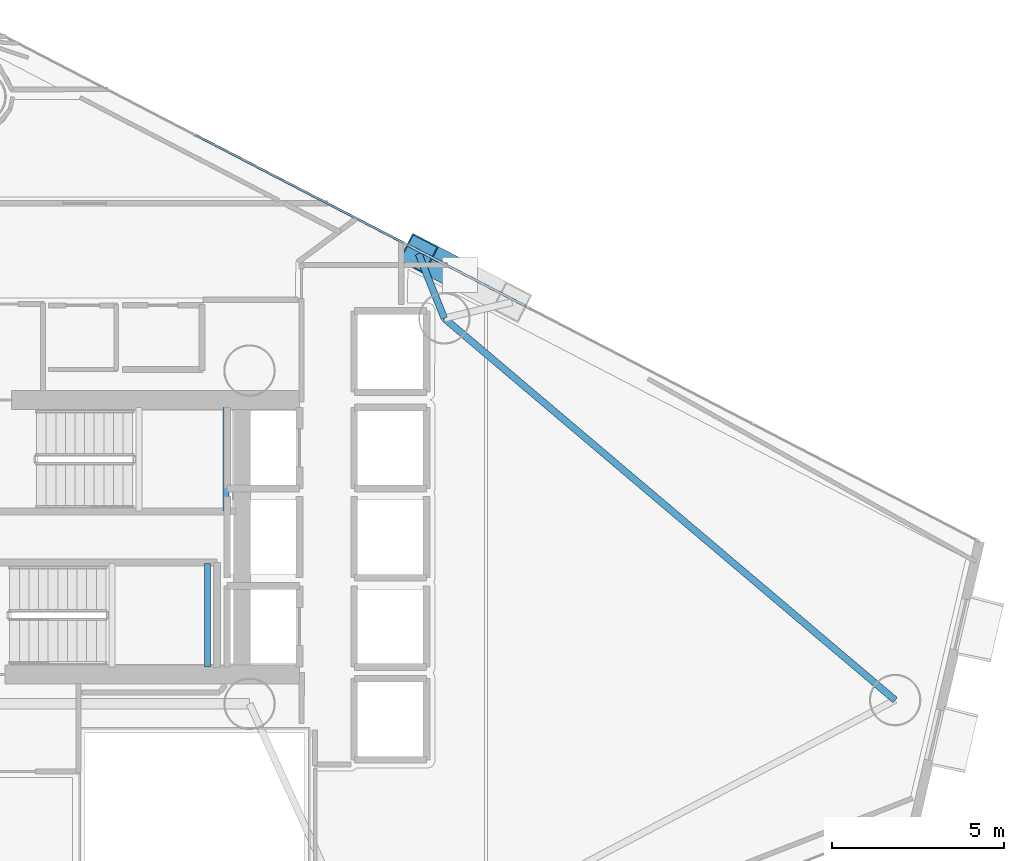
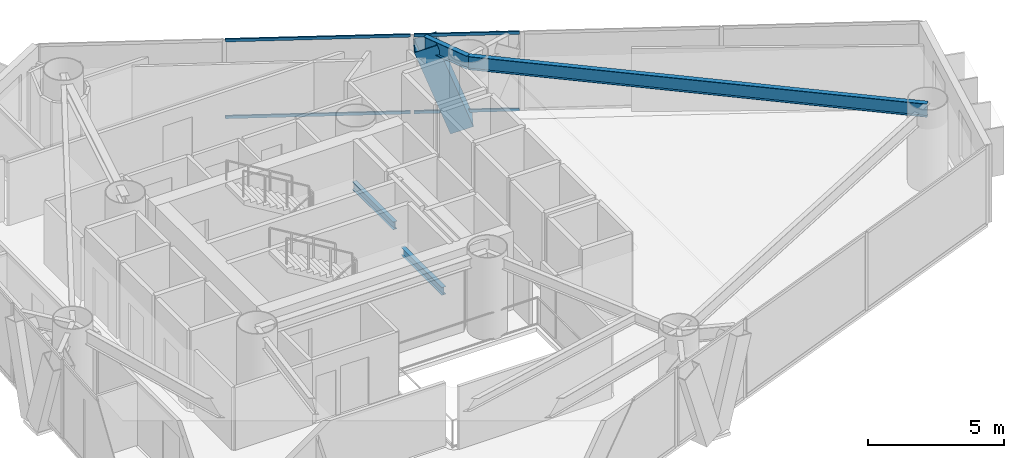
# One storey, part 10 of 21: 5 members, 4 beams, 2 elements without a shape of their own.
"""IFC4 building model written with IfcOpenShell, lengths in metres."""

import ifcopenshell
import ifcopenshell.guid

model = None  # the IFC model being written
_history = None  # IfcOwnerHistory: only IFC2X3 demands one
_inside = {}  # id of a spatial element -> (the spatial element, [elements in it])
_under = {}  # id of a project, library or spatial element -> (it, [spatial elements below it])
_declared = {}  # id of a project -> (the project, [libraries it declares])
_typed = {}  # id of a type object -> (the type object, [elements of that type])
_made_of = {}  # id of a material, layer set ... -> (it, [elements and type objects made of it])


def new_model(schema):
    """Start an empty IFC model of exactly this schema.

    Asked for "IFC4X3", IfcOpenShell would pick the latest addendum, in which some entities
    have other attributes; the version numbers below select the first issue.
    IFC2X3 requires an IfcOwnerHistory on every rooted entity: one is made here for all.
    """
    global model, _history
    if schema == "IFC4X3":
        model = ifcopenshell.file(schema_version=(4, 3, 0, 0))
    else:
        model = ifcopenshell.file(schema=schema)
    _inside.clear()
    _under.clear()
    _declared.clear()
    _typed.clear()
    _made_of.clear()
    _history = None
    if model.schema == "IFC2X3":
        org = make("IfcOrganization", Name="unknown")
        user = make(
            "IfcPersonAndOrganization",
            ThePerson=make("IfcPerson", FamilyName="unknown"),
            TheOrganization=org,
        )
        app = make(
            "IfcApplication",
            ApplicationDeveloper=org,
            Version="unknown",
            ApplicationFullName="unknown",
            ApplicationIdentifier="unknown",
        )
        _history = make(
            "IfcOwnerHistory",
            OwningUser=user,
            OwningApplication=app,
            ChangeAction="ADDED",
            CreationDate=0,
        )
    return model


def make(cls, **values):
    """One entity of the class cls with the attributes given. An attribute that is None is left unset."""
    return model.create_entity(
        cls, **{name: value for name, value in values.items() if value is not None}
    )


def rooted(cls, **values):
    """An entity with a GlobalId (a new one), such as an element, a storey or a relation."""
    return make(cls, GlobalId=ifcopenshell.guid.new(), OwnerHistory=_history, **values)


def si_unit(unit_type, name, prefix=None):
    """IfcSIUnit, for example si_unit("LENGTHUNIT", "METRE", prefix="MILLI")."""
    return make("IfcSIUnit", UnitType=unit_type, Prefix=prefix, Name=name)


def assignment(units):
    """IfcUnitAssignment: the units of a project."""
    return None if units is None else make("IfcUnitAssignment", Units=units)


def point(xyz):
    """IfcCartesianPoint."""
    return None if xyz is None else make("IfcCartesianPoint", Coordinates=xyz)


def direction(xyz):
    """IfcDirection."""
    return None if xyz is None else make("IfcDirection", DirectionRatios=xyz)


def frame(location, z_axis=None, x_axis=None):
    """IfcAxis2Placement3D, a coordinate frame: its origin and axes. An axis left out is left unset."""
    return make(
        "IfcAxis2Placement3D",
        Location=point(location),
        Axis=direction(z_axis),
        RefDirection=direction(x_axis),
    )


def frame_2d(location, x_axis=None):
    """IfcAxis2Placement2D, a coordinate frame in the plane: its origin and x axis."""
    return make(
        "IfcAxis2Placement2D", Location=point(location), RefDirection=direction(x_axis)
    )


def origin():
    """The frame at (0, 0, 0) with its axes left unset."""
    return frame((0.0, 0.0, 0.0))


def origin_2d():
    """The frame at (0, 0) in the plane with its x axis left unset."""
    return frame_2d((0.0, 0.0))


def place(relative_to, where):
    """IfcLocalPlacement: puts the frame where relative to a parent placement (None: the world)."""
    return make(
        "IfcLocalPlacement", PlacementRelTo=relative_to, RelativePlacement=where
    )


def context(
    kind, dimensions, precision=None, world=None, true_north=None, identifier=None
):
    """IfcGeometricRepresentationContext, for example the 3D "Model" context."""
    return make(
        "IfcGeometricRepresentationContext",
        ContextIdentifier=identifier,
        ContextType=kind,
        CoordinateSpaceDimension=dimensions,
        Precision=precision,
        WorldCoordinateSystem=world,
        TrueNorth=true_north,
    )


def subcontext(parent, identifier, kind, view, scale=None):
    """IfcGeometricRepresentationSubContext, for example "Body" below "Model"."""
    return make(
        "IfcGeometricRepresentationSubContext",
        ContextIdentifier=identifier,
        ContextType=kind,
        ParentContext=parent,
        TargetScale=scale,
        TargetView=view,
    )


def project(units=None, contexts=None):
    """IfcProject with its units and contexts."""
    return rooted(
        "IfcProject",
        Name="project",
        RepresentationContexts=contexts,
        UnitsInContext=assignment(units),
    )


def spatial(cls, under=None, at=None, **own):
    """A site, building, storey or space (cls), placed at a placement, below another one or the project."""
    s = rooted(cls, ObjectPlacement=at, **own)
    if under is not None:
        _under.setdefault(under.id(), (under, []))[1].append(s)
    return s


def profile(cls, at=None, kind="AREA", **sizes):
    """A parametric profile (cls). Its sizes go by their IFC names, for example OverallWidth=200.0."""
    return make(cls, ProfileType=kind, Position=at, **sizes)


def hollow_rectangle(**sizes):
    """IfcRectangleHollowProfileDef."""
    return profile("IfcRectangleHollowProfileDef", **sizes)


def i_section(**sizes):
    """IfcIShapeProfileDef."""
    return profile("IfcIShapeProfileDef", **sizes)


def extrude(swept, where, along, depth):
    """IfcExtrudedAreaSolid: the profile swept, set in the frame where, extruded along a direction by depth."""
    return make(
        "IfcExtrudedAreaSolid",
        SweptArea=swept,
        Position=where,
        ExtrudedDirection=direction(along),
        Depth=depth,
    )


def shape(context_of_items, identifier, shape_type, items):
    """IfcShapeRepresentation: the items that make up one representation, for example the "Body"."""
    return make(
        "IfcShapeRepresentation",
        ContextOfItems=context_of_items,
        RepresentationIdentifier=identifier,
        RepresentationType=shape_type,
        Items=items,
    )


def material(Name=None, Category=None):
    """IfcMaterial."""
    return make("IfcMaterial", Name=Name, Category=Category)


def layer(
    of_material, thickness, ventilated=None, Name=None, Category=None, Priority=None
):
    """IfcMaterialLayer: one layer of a wall or slab, of a material (None: an air gap)."""
    return make(
        "IfcMaterialLayer",
        Material=of_material,
        LayerThickness=thickness,
        IsVentilated=ventilated,
        Name=Name,
        Category=Category,
        Priority=Priority,
    )


def layer_set(layers, Name=None):
    """IfcMaterialLayerSet."""
    return make("IfcMaterialLayerSet", MaterialLayers=layers, LayerSetName=Name)


def material_profile(
    of_material, cross_section, Name=None, Category=None, Priority=None
):
    """IfcMaterialProfile: a cross section and its material."""
    return make(
        "IfcMaterialProfile",
        Name=Name,
        Material=of_material,
        Profile=cross_section,
        Priority=Priority,
        Category=Category,
    )


def profile_set(profiles, Name=None, composite=None):
    """IfcMaterialProfileSet."""
    return make(
        "IfcMaterialProfileSet",
        Name=Name,
        MaterialProfiles=profiles,
        CompositeProfile=composite,
    )


def made_of(thing, what):
    """Note that an element or type object is made of a material, layer set ...; save() writes the relation."""
    if what is not None:
        _made_of.setdefault(what.id(), (what, []))[1].append(thing)
    return thing


def type_object(cls, material=None, **own):
    """A type object (cls), such as IfcWallType, which elements share."""
    return made_of(rooted(cls, **own), material)


def element(
    cls,
    number,
    at=None,
    inside=None,
    cuts=None,
    type_object=None,
    material=None,
    context=None,
    identifier="Body",
    shape_type=None,
    held_by="IfcProductDefinitionShape",
    body=None,
    shapes=None,
    **own,
):
    """One element of the class cls, such as IfcWall. Its Tag is "e" and its number.

    at: its placement. inside: the storey or other place that contains it. cuts: it is an
    opening in that element (IfcRelVoidsElement). A single representation is given by context,
    identifier, shape_type and body (its items); several are given by shapes. held_by: the class
    of the entity that holds the representations. save() writes the other relations.
    """
    e = rooted(cls, Tag="e%d" % number, ObjectPlacement=at, **own)
    if body is not None:
        shapes = [shape(context, identifier, shape_type, body)]
    if shapes is not None:
        e.Representation = make(held_by, Representations=shapes)
    if inside is not None:
        _inside.setdefault(inside.id(), (inside, []))[1].append(e)
    if cuts is not None:
        rooted(
            "IfcRelVoidsElement", RelatingBuildingElement=cuts, RelatedOpeningElement=e
        )
    if type_object is not None:
        _typed.setdefault(type_object.id(), (type_object, []))[1].append(e)
    return made_of(e, material)


def aggregate(whole, parts):
    """IfcRelAggregates: a whole, such as a stair, and the parts it consists of."""
    return rooted("IfcRelAggregates", RelatingObject=whole, RelatedObjects=parts)


def save(model, path):
    """Write the relations noted so far, then the file.

    IfcRelAggregates (storeys below a building ...), IfcRelContainedInSpatialStructure (elements
    in a storey), IfcRelDefinesByType, IfcRelAssociatesMaterial and IfcRelDeclares: one each for
    every whole, place, type object, material and project.
    """
    for whole, parts in _under.values():
        aggregate(whole, parts)
    for where, things in _inside.values():
        rooted(
            "IfcRelContainedInSpatialStructure",
            RelatedElements=things,
            RelatingStructure=where,
        )
    for kind, things in _typed.values():
        rooted("IfcRelDefinesByType", RelatedObjects=things, RelatingType=kind)
    for what, things in _made_of.values():
        rooted("IfcRelAssociatesMaterial", RelatedObjects=things, RelatingMaterial=what)
    for by, libraries in _declared.values():
        rooted("IfcRelDeclares", RelatingContext=by, RelatedDefinitions=libraries)
    model.write(path)


model = new_model("IFC4")

# Units and contexts
model_context = context("Model", 3, precision=1e-05, world=origin(), true_north=direction((0.0, 1.0)))
body_context = subcontext(model_context, "Body", "Model", "MODEL_VIEW")
ifc_project = project(units=[si_unit("LENGTHUNIT", "METRE"), si_unit("AREAUNIT", "SQUARE_METRE"), si_unit("VOLUMEUNIT", "CUBIC_METRE"), si_unit("PLANEANGLEUNIT", "RADIAN"), si_unit("MASSUNIT", "GRAM", prefix="KILO")], contexts=[model_context])

# Site, building, storey
site_placement = place(None, origin())
site = spatial("IfcSite", under=ifc_project, at=site_placement, CompositionType="ELEMENT")
building_placement = place(site_placement, origin())
building = spatial("IfcBuilding", under=site, at=building_placement, Name="Qianvela Tower", CompositionType="ELEMENT")
storey_placement = place(building_placement, frame((0.0, 0.0, 131.10009765625)))
storey = spatial("IfcBuildingStorey", under=building, at=storey_placement, Name="L33", CompositionType="ELEMENT", Elevation=131.10009765625)

# Beams
ifc_material_1 = material(Name="Steel Q355B", Category="steel")
ifc_material_profile_1 = material_profile(ifc_material_1, i_section(OverallWidth=0.175048828125, OverallDepth=0.35009765625, WebThickness=0.007080078125, FlangeThickness=0.010986328125, at=origin_2d()), Name="HN350x175x7x11")
ifc_profile_set_1 = profile_set([ifc_material_profile_1], Name="Steel Q355B")
beam_type_1 = type_object("IfcBeamType", Name="BM-HN350-JOIST", PredefinedType="JOIST", material=ifc_profile_set_1)
for number, where, z_axis, x_axis, name in (
    (1, (37.719970703125, 29.4599609375, 1.474853515625), (0.0, 1.0, 0.0), (-1.0, 0.0, 0.0), "L33 Stair ST-1 Landing Support Beam 1.2"),
    (2, (37.169921875, 24.919921875, 1.474853515625), (0.0, 1.0, 0.0), (-1.0, 0.0, 0.0), "L33 Stair ST-2 Landing Support Beam 1.2"),
):
    element("IfcBeam", number, at=place(storey_placement, frame(where, z_axis=z_axis, x_axis=x_axis)), inside=storey, type_object=beam_type_1, Name=name, PredefinedType="JOIST", context=body_context, shape_type="SweptSolid", body=[
        extrude(i_section(OverallWidth=0.175048828125, OverallDepth=0.35009765625, WebThickness=0.007080078125, FlangeThickness=0.010986328125, at=origin_2d()), origin(), (0.0, 0.0, 1.0), 3.02001953125),
    ])
ifc_material_2 = material(Name="Steel Q355B", Category="steel")
ifc_material_profile_2 = material_profile(ifc_material_2, i_section(OverallWidth=0.199951171875, OverallDepth=0.60009765625, WebThickness=0.010986328125, FlangeThickness=0.01708984375, at=origin_2d()), Name="HN600x200x11x17")
ifc_profile_set_2 = profile_set([ifc_material_profile_2], Name="Steel Q355B")
beam_type_2 = type_object("IfcBeamType", Name="BM-HN600-GIRD", PredefinedType="BEAM", material=ifc_profile_set_2)
beam_1_placement = place(storey_placement, frame((44.071044921875, 35.070068359375, 3.218017578125), z_axis=(-0.370455780554, 0.928850103437, 0.0), x_axis=(-0.928850103437, -0.370455780554, 0.0)))
element("IfcBeam", 3, at=beam_1_placement, inside=storey, type_object=beam_type_2, Name="L33 Mega-Brace Column Tie Bracket F1-2", PredefinedType="BEAM", context=body_context, shape_type="SweptSolid", body=[
    extrude(i_section(OverallWidth=0.199951171875, OverallDepth=0.60009765625, WebThickness=0.010986328125, FlangeThickness=0.01708984375, at=origin_2d()), origin(), (0.0, 0.0, 1.0), 2.026611328125),
])
beam_2_placement = place(storey_placement, frame((57.194091796875, 23.9580078125, 3.218017578125), z_axis=(-0.763158437154, 0.646211420358, 0.0), x_axis=(-0.646211420358, -0.763158437154, 0.0)))
element("IfcBeam", 4, at=beam_2_placement, inside=storey, type_object=beam_type_2, Name="L33 Perimeter Ring Spandrel Girder 1", PredefinedType="BEAM", context=body_context, shape_type="SweptSolid", body=[
    extrude(i_section(OverallWidth=0.199951171875, OverallDepth=0.60009765625, WebThickness=0.010986328125, FlangeThickness=0.01708984375, at=origin_2d()), origin(), (0.0, 0.0, 1.0), 17.19580078125),
])

# Curtain wall, members
ifc_material_3 = material(Name="Anodised Architectural Aluminium and Insulated Spandrel Panel", Category="aluminium")
ifc_layer_1 = layer(ifc_material_3, 0.179931640625)
ifc_layer_set_1 = layer_set([ifc_layer_1], Name="Anodised Architectural Aluminium and Insulated Spandrel Panel")
curtain_wall_type_1 = type_object("IfcCurtainWallType", Name="CW-BRACEBAY", PredefinedType="USERDEFINED", material=ifc_layer_set_1)
curtain_wall_1_placement = place(storey_placement, origin())
curtain_wall_1 = element("IfcCurtainWall", 5, at=curtain_wall_1_placement, inside=storey, type_object=curtain_wall_type_1, Name="L33 CW-BRACEBAY Curtain Wall 02B", ObjectType="CURTAIN_WALL_SYSTEM", PredefinedType="USERDEFINED")
ifc_material_4 = material(Name="Anodised Architectural Aluminium 6063-T6", Category="aluminium")
ifc_material_profile_3 = material_profile(ifc_material_4, hollow_rectangle(XDim=0.06494140625, YDim=0.1298828125, WallThickness=0.00439453125, at=origin_2d()), Name="ALU-TRAN-65x130")
ifc_profile_set_3 = profile_set([ifc_material_profile_3], Name="Anodised Architectural Aluminium 6063-T6")
member_type_1 = type_object("IfcMemberType", Name="CW-BRACEBAY-TRAN", PredefinedType="USERDEFINED", material=ifc_profile_set_3)
member_1_placement = place(storey_placement, frame((46.450439453125, 35.42041015625, 0.032470703125), z_axis=(-0.887886196487, 0.460063150108, 0.0), x_axis=(-0.460063150108, -0.887886196487, 0.0)))
member_1 = element("IfcMember", 6, at=member_1_placement, type_object=member_type_1, Name="CW-9 transom 1.1", ObjectType="TRANSOM", PredefinedType="USERDEFINED", context=body_context, shape_type="SweptSolid", body=[
    extrude(hollow_rectangle(XDim=0.06494140625, YDim=0.1298828125, WallThickness=0.00439453125, at=origin_2d()), origin(), (0.0, 0.0, 1.0), 3.89990234375),
])
member_2_placement = place(storey_placement, frame((46.450439453125, 35.42041015625, 3.4873046875), z_axis=(-0.887886196487, 0.460063150108, 0.0), x_axis=(-0.460063150108, -0.887886196487, 0.0)))
member_2 = element("IfcMember", 7, at=member_2_placement, type_object=member_type_1, Name="CW-9 transom 1.2", ObjectType="TRANSOM", PredefinedType="USERDEFINED", context=body_context, shape_type="SweptSolid", body=[
    extrude(hollow_rectangle(XDim=0.06494140625, YDim=0.1298828125, WallThickness=0.00439453125, at=origin_2d()), origin(), (0.0, 0.0, 1.0), 3.89990234375),
])
aggregate(curtain_wall_1, [member_1, member_2])

ifc_material_5 = material(Name="Anodised Architectural Aluminium and Low-E Glass", Category="aluminium")
ifc_layer_2 = layer(ifc_material_5, 0.169921875)
ifc_layer_set_2 = layer_set([ifc_layer_2], Name="Anodised Architectural Aluminium and Low-E Glass")
curtain_wall_type_2 = type_object("IfcCurtainWallType", Name="CW-COLIV-Z34", PredefinedType="USERDEFINED", material=ifc_layer_set_2)
curtain_wall_2_placement = place(storey_placement, origin())
curtain_wall_2 = element("IfcCurtainWall", 8, at=curtain_wall_2_placement, inside=storey, type_object=curtain_wall_type_2, Name="L33 CW-COLIV-Z34 Curtain Wall 02C", ObjectType="CURTAIN_WALL_SYSTEM", PredefinedType="USERDEFINED")
ifc_material_6 = material(Name="Anodised Architectural Aluminium 6063-T6", Category="aluminium")
ifc_material_profile_4 = material_profile(ifc_material_6, hollow_rectangle(XDim=0.06494140625, YDim=0.1298828125, WallThickness=0.00439453125, at=origin_2d()), Name="ALU-TRAN-65x130")
ifc_profile_set_4 = profile_set([ifc_material_profile_4], Name="Anodised Architectural Aluminium 6063-T6")
member_type_2 = type_object("IfcMemberType", Name="CW-COLIV-Z34-TRAN", PredefinedType="USERDEFINED", material=ifc_profile_set_4)
member_3_placement = place(storey_placement, frame((42.872314453125, 37.2744140625, 0.032470703125), z_axis=(-0.887857931265, 0.460117695693, 0.0), x_axis=(-0.460117695693, -0.887857931265, 0.0)))
member_3 = element("IfcMember", 9, at=member_3_placement, type_object=member_type_2, Name="CW-4 transom 1.1", ObjectType="TRANSOM", PredefinedType="USERDEFINED", context=body_context, shape_type="SweptSolid", body=[
    extrude(hollow_rectangle(XDim=0.06494140625, YDim=0.1298828125, WallThickness=0.00439453125, at=origin_2d()), origin(), (0.0, 0.0, 1.0), 6.82421875),
])
member_4_placement = place(storey_placement, frame((42.872314453125, 37.2744140625, 3.4873046875), z_axis=(-0.887857931265, 0.460117695693, 0.0), x_axis=(-0.460117695693, -0.887857931265, 0.0)))
member_4 = element("IfcMember", 10, at=member_4_placement, type_object=member_type_2, Name="CW-4 transom 1.2", ObjectType="TRANSOM", PredefinedType="USERDEFINED", context=body_context, shape_type="SweptSolid", body=[
    extrude(hollow_rectangle(XDim=0.06494140625, YDim=0.1298828125, WallThickness=0.00439453125, at=origin_2d()), origin(), (0.0, 0.0, 1.0), 6.82421875),
])
aggregate(curtain_wall_2, [member_3, member_4])

# Member
ifc_material_7 = material(Name="Steel Q420GJC", Category="steel")
ifc_material_profile_5 = material_profile(ifc_material_7, hollow_rectangle(XDim=0.89990234375, YDim=0.89990234375, WallThickness=0.035888671875, at=origin_2d()), Name="MBOX-900x900x36")
ifc_profile_set_5 = profile_set([ifc_material_profile_5], Name="Steel Q420GJC")
member_type_3 = type_object("IfcMemberType", Name="MBR-MBRACE-900", PredefinedType="BRACE", material=ifc_profile_set_5)
member_5_placement = place(storey_placement, frame((44.505615234375, 36.338134765625, -0.482177734375), z_axis=(-0.301322936951, 0.156154172888, 0.940648904723), x_axis=(-0.460114309109, -0.887859686298, 0.0)))
element("IfcMember", 11, at=member_5_placement, inside=storey, type_object=member_type_3, Name="L33 Tier 5 Exterior Mega-Brace F1B", PredefinedType="BRACE", context=body_context, shape_type="SweptSolid", body=[
    extrude(hollow_rectangle(XDim=0.89990234375, YDim=0.89990234375, WallThickness=0.035888671875, at=origin_2d()), origin(), (0.0, 0.0, 1.0), 3.93359375),
])

save(model, "model.ifc")
